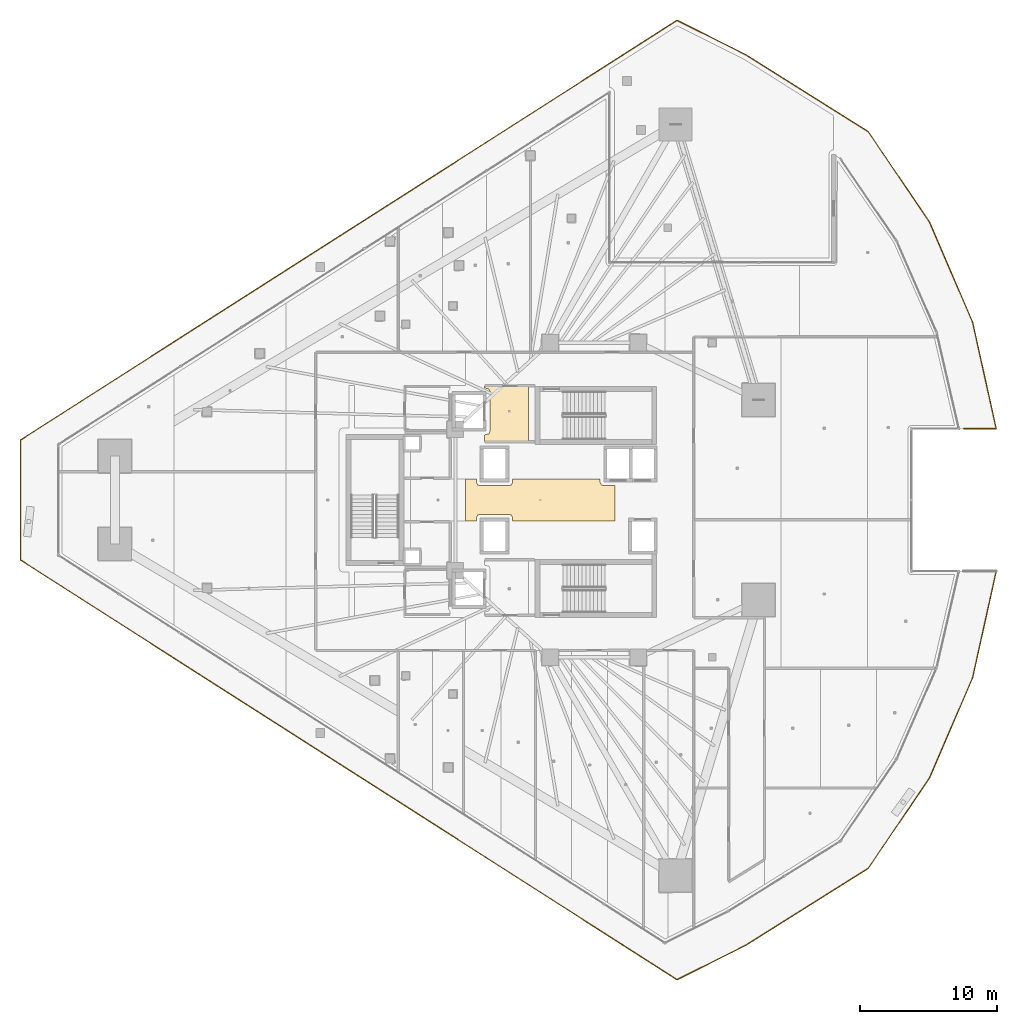
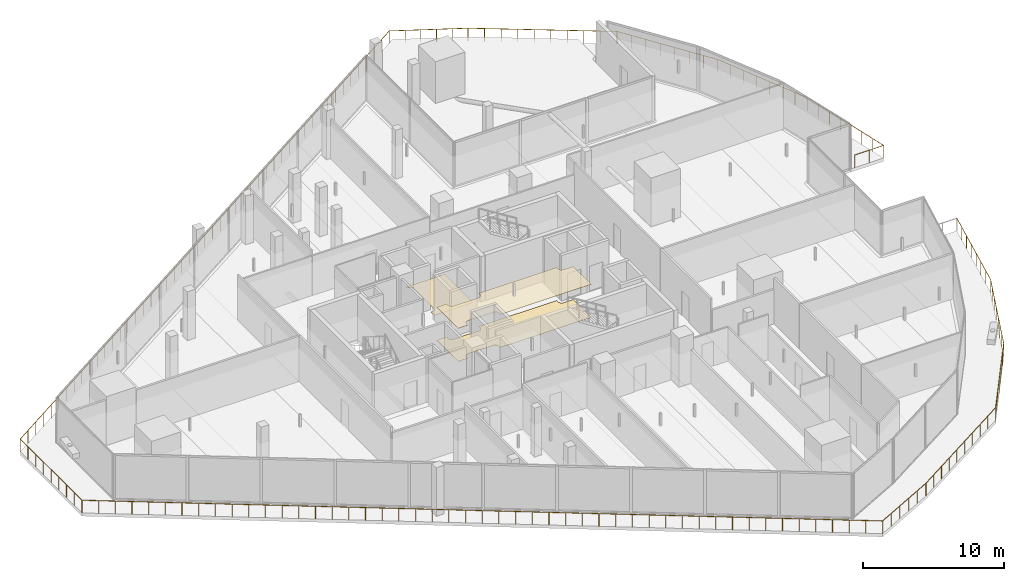
# One storey, part 42 of 44: 3 coverings, 1 railing.
"""IFC4 building model written with IfcOpenShell, lengths in metres."""

from ifc_helpers import new_model, si_unit, direction, frame, origin, origin_2d, place, context, subcontext, project, spatial, polyline, circle, outline, extrude, material, layer, layer_set, type_object, element, save


model = new_model("IFC4")

# Units and contexts
model_context = context("Model", 3, precision=1e-05, world=origin(), true_north=direction((0.0, 1.0)))
body_context = subcontext(model_context, "Body", "Model", "MODEL_VIEW")
ifc_project = project(units=[si_unit("LENGTHUNIT", "METRE"), si_unit("AREAUNIT", "SQUARE_METRE"), si_unit("VOLUMEUNIT", "CUBIC_METRE"), si_unit("PLANEANGLEUNIT", "RADIAN"), si_unit("MASSUNIT", "GRAM", prefix="KILO")], contexts=[model_context])

# Site, building, storey
site_placement = place(None, origin())
site = spatial("IfcSite", under=ifc_project, at=site_placement, CompositionType="ELEMENT")
building_placement = place(site_placement, origin())
building = spatial("IfcBuilding", under=site, at=building_placement, Name="Qorvath Tower", CompositionType="ELEMENT")
storey_placement = place(building_placement, frame((0.0, 0.0, 78.60009765625)))
storey = spatial("IfcBuildingStorey", under=building, at=storey_placement, Name="L17", CompositionType="ELEMENT", Elevation=78.60009765625)

# Coverings
ifc_material_1 = material(Name="Acoustic mineral fibre ceiling tile", Category="gypsum")
ifc_layer_1 = layer(ifc_material_1, 0.030029296875)
ifc_layer_set_1 = layer_set([ifc_layer_1], Name="COV-CEIL")
covering_type_1 = type_object("IfcCoveringType", Name="COV-CEIL", PredefinedType="CEILING", material=ifc_layer_set_1)
covering_1_placement = place(storey_placement, frame((0.0, 0.0, 2.849853515625)))
element("IfcCovering", 1, at=covering_1_placement, inside=storey, type_object=covering_type_1, Name="L17 Suspended Acoustic Ceiling 009", PredefinedType="CEILING", context=body_context, shape_type="SweptSolid", body=[
    extrude(outline(polyline([(-18.885009765625, -1.514892578125), (-18.885009765625, 1.0400390625), (-19.7099609375, 1.0400390625), (-19.88671875, 1.11328125), (-19.9599609375, 1.2900390625), (-19.9599609375, 1.514892578125), (-26.340087890625, 1.514892578125), (-26.340087890625, 1.2900390625), (-26.413330078125, 1.11328125), (-26.590087890625, 1.0400390625), (-28.7099609375, 1.0400390625), (-28.88671875, 1.11328125), (-28.9599609375, 1.2900390625), (-28.9599609375, 1.514892578125), (-29.764892578125, 1.514892578125), (-29.764892578125, -1.514892578125), (-28.9599609375, -1.514892578125), (-28.9599609375, -1.2900390625), (-28.88671875, -1.11328125), (-28.7099609375, -1.0400390625), (-26.590087890625, -1.0400390625), (-26.413330078125, -1.11328125), (-26.340087890625, -1.2900390625), (-26.340087890625, -1.514892578125), (-18.885009765625, -1.514892578125)])), origin(), (0.0, 0.0, 1.0), 0.030029296875),
])
ifc_material_2 = material(Name="Polished epoxy terrazzo flooring", Category="concrete")
ifc_layer_2 = layer(ifc_material_2, 0.02001953125)
ifc_layer_set_2 = layer_set([ifc_layer_2], Name="COV-FLOOR-TRZ")
covering_type_2 = type_object("IfcCoveringType", Name="COV-FLOOR-TRZ", PredefinedType="FLOORING", material=ifc_layer_set_2)
covering_2_placement = place(storey_placement, origin())
element("IfcCovering", 2, at=covering_2_placement, inside=storey, type_object=covering_type_2, Name="L17 Floor Finish 001", PredefinedType="FLOORING", context=body_context, shape_type="SweptSolid", body=[
    extrude(outline(polyline([(-25.18994140625, 4.2548828125), (-25.18994140625, 8.294921875), (-28.375, 8.294921875), (-28.375, 8.159912109375), (-28.063232421875, 8.086669921875), (-27.989990234375, 7.909912109375), (-27.989990234375, 4.989990234375), (-28.063232421875, 4.813232421875), (-28.375, 4.739990234375), (-28.375, 4.2548828125), (-25.18994140625, 4.2548828125)])), origin(), (0.0, 0.0, 1.0), 0.014892578125),
])
covering_3_placement = place(storey_placement, origin())
element("IfcCovering", 3, at=covering_3_placement, inside=storey, type_object=covering_type_2, Name="L17 Floor Finish 009", PredefinedType="FLOORING", context=body_context, shape_type="SweptSolid", body=[
    extrude(outline(polyline([(-18.885009765625, -1.514892578125), (-18.885009765625, 1.0400390625), (-19.7099609375, 1.0400390625), (-19.88671875, 1.11328125), (-19.9599609375, 1.2900390625), (-19.9599609375, 1.514892578125), (-26.340087890625, 1.514892578125), (-26.340087890625, 1.2900390625), (-26.413330078125, 1.11328125), (-26.590087890625, 1.0400390625), (-28.7099609375, 1.0400390625), (-28.88671875, 1.11328125), (-28.9599609375, 1.2900390625), (-28.9599609375, 1.514892578125), (-29.764892578125, 1.514892578125), (-29.764892578125, -1.514892578125), (-28.9599609375, -1.514892578125), (-28.9599609375, -1.2900390625), (-28.88671875, -1.11328125), (-28.7099609375, -1.0400390625), (-26.590087890625, -1.0400390625), (-26.413330078125, -1.11328125), (-26.340087890625, -1.2900390625), (-26.340087890625, -1.514892578125), (-18.885009765625, -1.514892578125)])), origin(), (0.0, 0.0, 1.0), 0.014892578125),
])

# Railing
ifc_material_3 = material(Name="Laminated safety glass and stainless steel AISI 316", Category="steel")
railing_type = type_object("IfcRailingType", Name="RL-EXT-GRD", PredefinedType="GUARDRAIL", material=ifc_material_3)
railing_placement = place(storey_placement, frame((8.867919921875, -5.18408203125, 0.0)))
element("IfcRailing", 4, at=railing_placement, inside=storey, type_object=railing_type, Name="Loggia Perimeter Guardrail L17-1.1", PredefinedType="GUARDRAIL", context=body_context, shape_type="SweptSolid", body=[
    extrude(circle(Radius=0.02392578125, at=origin_2d()), frame((0.0, 0.0, 1.09619140625), z_axis=(-0.216083712762, -0.976374840458, 0.0), x_axis=(0.976374840458, -0.216083712762, 0.0)), (0.0, 0.0, 1.0), 7.938232421875),
    extrude(circle(Radius=0.02392578125, at=origin_2d()), frame((-1.71533203125, -7.750732421875, 1.09619140625), z_axis=(-0.395496185531, -0.918467619043, 0.0), x_axis=(0.918467619043, -0.395496185531, 0.0)), (0.0, 0.0, 1.0), 7.9384765625),
    extrude(circle(Radius=0.02392578125, at=origin_2d()), frame((-4.85498046875, -15.0419921875, 1.09619140625), z_axis=(-0.560810063279, -0.827944486621, 0.0), x_axis=(0.827944486621, -0.560810063279, 0.0)), (0.0, 0.0, 1.0), 7.938232421875),
    extrude(circle(Radius=0.02392578125, at=origin_2d()), frame((-9.306884765625, -21.614501953125, 1.09619140625), z_axis=(-0.84650076286, -0.532387507815, 0.0), x_axis=(0.532387507815, -0.84650076286, 0.0)), (0.0, 0.0, 1.0), 10.556396484375),
    extrude(circle(Radius=0.02392578125, at=origin_2d()), frame((-18.242919921875, -27.234619140625, 1.09619140625), z_axis=(-0.89443594736, -0.447196082351, 0.0), x_axis=(0.447196082351, -0.89443594736, 0.0)), (0.0, 0.0, 1.0), 5.576171875),
    extrude(circle(Radius=0.02392578125, at=origin_2d()), frame((-23.23046875, -29.728271484375, 1.09619140625), z_axis=(-0.842603440241, 0.538534532313, 0.0), x_axis=(-0.538534532313, -0.842603440241, 0.0)), (0.0, 0.0, 1.0), 56.724853515625),
    extrude(circle(Radius=0.02392578125, at=origin_2d()), frame((-71.027099609375, 0.820068359375, 1.09619140625), z_axis=(0.0, 1.0, 0.0), x_axis=(-1.0, 0.0, 0.0)), (0.0, 0.0, 1.0), 8.72802734375),
    extrude(circle(Radius=0.02392578125, at=origin_2d()), frame((-71.027099609375, 9.548095703125, 1.09619140625), z_axis=(0.842603440241, 0.538534532313, 0.0), x_axis=(-0.538534532313, 0.842603440241, 0.0)), (0.0, 0.0, 1.0), 56.724853515625),
    extrude(circle(Radius=0.02392578125, at=origin_2d()), frame((-23.23046875, 40.096435546875, 1.09619140625), z_axis=(0.89443594736, -0.447196082351, 0.0), x_axis=(0.447196082351, 0.89443594736, 0.0)), (0.0, 0.0, 1.0), 5.576171875),
    extrude(circle(Radius=0.02392578125, at=origin_2d()), frame((-18.242919921875, 37.602783203125, 1.09619140625), z_axis=(0.84650076286, -0.532387507815, 0.0), x_axis=(0.532387507815, 0.84650076286, 0.0)), (0.0, 0.0, 1.0), 10.556396484375),
    extrude(circle(Radius=0.02392578125, at=origin_2d()), frame((-9.306884765625, 31.982666015625, 1.09619140625), z_axis=(0.560810063279, -0.827944486621, 0.0), x_axis=(0.827944486621, 0.560810063279, 0.0)), (0.0, 0.0, 1.0), 7.938232421875),
    extrude(circle(Radius=0.02392578125, at=origin_2d()), frame((-4.85498046875, 25.41015625, 1.09619140625), z_axis=(0.395496185531, -0.918467619043, 0.0), x_axis=(0.918467619043, 0.395496185531, 0.0)), (0.0, 0.0, 1.0), 7.9384765625),
    extrude(circle(Radius=0.02392578125, at=origin_2d()), frame((-1.71533203125, 18.118896484375, 1.09619140625), z_axis=(0.216083712762, -0.976374840458, 0.0), x_axis=(0.976374840458, 0.216083712762, 0.0)), (0.0, 0.0, 1.0), 7.938232421875),
    extrude(circle(Radius=0.02392578125, at=origin_2d()), frame((0.0, 10.3681640625, 1.09619140625), z_axis=(-1.0, 0.0, 0.0), x_axis=(0.0, -1.0, 0.0)), (0.0, 0.0, 1.0), 2.366455078125),
    extrude(circle(Radius=0.02099609375, at=origin_2d()), origin(), (0.0, 0.0, 1.0), 1.072021484375),
    extrude(circle(Radius=0.02099609375, at=origin_2d()), frame((-0.2451171875, -1.107177734375, 0.0)), (0.0, 0.0, 1.0), 1.072021484375),
    extrude(circle(Radius=0.02099609375, at=origin_2d()), frame((-0.489990234375, -2.214599609375, 0.0)), (0.0, 0.0, 1.0), 1.072021484375),
    extrude(circle(Radius=0.02099609375, at=origin_2d()), frame((-0.735107421875, -3.32177734375, 0.0)), (0.0, 0.0, 1.0), 1.072021484375),
    extrude(circle(Radius=0.02099609375, at=origin_2d()), frame((-0.980224609375, -4.428955078125, 0.0)), (0.0, 0.0, 1.0), 1.072021484375),
    extrude(circle(Radius=0.02099609375, at=origin_2d()), frame((-1.225341796875, -5.5361328125, 0.0)), (0.0, 0.0, 1.0), 1.072021484375),
    extrude(circle(Radius=0.02099609375, at=origin_2d()), frame((-1.47021484375, -6.6435546875, 0.0)), (0.0, 0.0, 1.0), 1.072021484375),
    extrude(circle(Radius=0.02099609375, at=origin_2d()), frame((-1.71533203125, -7.750732421875, 0.0)), (0.0, 0.0, 1.0), 1.072021484375),
    extrude(circle(Radius=0.02099609375, at=origin_2d()), frame((-2.163818359375, -8.792236328125, 0.0)), (0.0, 0.0, 1.0), 1.072021484375),
    extrude(circle(Radius=0.02099609375, at=origin_2d()), frame((-2.6123046875, -9.833984375, 0.0)), (0.0, 0.0, 1.0), 1.072021484375),
    extrude(circle(Radius=0.02099609375, at=origin_2d()), frame((-3.060791015625, -10.87548828125, 0.0)), (0.0, 0.0, 1.0), 1.072021484375),
    extrude(circle(Radius=0.02099609375, at=origin_2d()), frame((-3.509521484375, -11.917236328125, 0.0)), (0.0, 0.0, 1.0), 1.072021484375),
    extrude(circle(Radius=0.02099609375, at=origin_2d()), frame((-3.9580078125, -12.958740234375, 0.0)), (0.0, 0.0, 1.0), 1.072021484375),
    extrude(circle(Radius=0.02099609375, at=origin_2d()), frame((-4.406494140625, -14.00048828125, 0.0)), (0.0, 0.0, 1.0), 1.072021484375),
    extrude(circle(Radius=0.02099609375, at=origin_2d()), frame((-4.85498046875, -15.0419921875, 0.0)), (0.0, 0.0, 1.0), 1.072021484375),
    extrude(circle(Radius=0.02099609375, at=origin_2d()), frame((-5.490966796875, -15.98095703125, 0.0)), (0.0, 0.0, 1.0), 1.072021484375),
    extrude(circle(Radius=0.02099609375, at=origin_2d()), frame((-6.126953125, -16.919921875, 0.0)), (0.0, 0.0, 1.0), 1.072021484375),
    extrude(circle(Radius=0.02099609375, at=origin_2d()), frame((-6.762939453125, -17.85888671875, 0.0)), (0.0, 0.0, 1.0), 1.072021484375),
    extrude(circle(Radius=0.02099609375, at=origin_2d()), frame((-7.39892578125, -18.797607421875, 0.0)), (0.0, 0.0, 1.0), 1.072021484375),
    extrude(circle(Radius=0.02099609375, at=origin_2d()), frame((-8.034912109375, -19.736572265625, 0.0)), (0.0, 0.0, 1.0), 1.072021484375),
    extrude(circle(Radius=0.02099609375, at=origin_2d()), frame((-8.6708984375, -20.675537109375, 0.0)), (0.0, 0.0, 1.0), 1.072021484375),
    extrude(circle(Radius=0.02099609375, at=origin_2d()), frame((-9.306884765625, -21.614501953125, 0.0)), (0.0, 0.0, 1.0), 1.072021484375),
    extrude(circle(Radius=0.02099609375, at=origin_2d()), frame((-10.2998046875, -22.239013671875, 0.0)), (0.0, 0.0, 1.0), 1.072021484375),
    extrude(circle(Radius=0.02099609375, at=origin_2d()), frame((-11.292724609375, -22.863525390625, 0.0)), (0.0, 0.0, 1.0), 1.072021484375),
    extrude(circle(Radius=0.02099609375, at=origin_2d()), frame((-12.28564453125, -23.48779296875, 0.0)), (0.0, 0.0, 1.0), 1.072021484375),
    extrude(circle(Radius=0.02099609375, at=origin_2d()), frame((-13.278564453125, -24.1123046875, 0.0)), (0.0, 0.0, 1.0), 1.072021484375),
    extrude(circle(Radius=0.02099609375, at=origin_2d()), frame((-14.271240234375, -24.73681640625, 0.0)), (0.0, 0.0, 1.0), 1.072021484375),
    extrude(circle(Radius=0.02099609375, at=origin_2d()), frame((-15.26416015625, -25.361328125, 0.0)), (0.0, 0.0, 1.0), 1.072021484375),
    extrude(circle(Radius=0.02099609375, at=origin_2d()), frame((-16.257080078125, -25.985595703125, 0.0)), (0.0, 0.0, 1.0), 1.072021484375),
    extrude(circle(Radius=0.02099609375, at=origin_2d()), frame((-17.25, -26.610107421875, 0.0)), (0.0, 0.0, 1.0), 1.072021484375),
    extrude(circle(Radius=0.02099609375, at=origin_2d()), frame((-18.242919921875, -27.234619140625, 0.0)), (0.0, 0.0, 1.0), 1.072021484375),
    extrude(circle(Radius=0.02099609375, at=origin_2d()), frame((-19.240478515625, -27.7333984375, 0.0)), (0.0, 0.0, 1.0), 1.072021484375),
    extrude(circle(Radius=0.02099609375, at=origin_2d()), frame((-20.238037109375, -28.232177734375, 0.0)), (0.0, 0.0, 1.0), 1.072021484375),
    extrude(circle(Radius=0.02099609375, at=origin_2d()), frame((-21.2353515625, -28.730712890625, 0.0)), (0.0, 0.0, 1.0), 1.072021484375),
    extrude(circle(Radius=0.02099609375, at=origin_2d()), frame((-22.23291015625, -29.2294921875, 0.0)), (0.0, 0.0, 1.0), 1.072021484375),
    extrude(circle(Radius=0.02099609375, at=origin_2d()), frame((-23.23046875, -29.728271484375, 0.0)), (0.0, 0.0, 1.0), 1.072021484375),
    extrude(circle(Radius=0.02099609375, at=origin_2d()), frame((-24.226318359375, -29.091796875, 0.0)), (0.0, 0.0, 1.0), 1.072021484375),
    extrude(circle(Radius=0.02099609375, at=origin_2d()), frame((-25.221923828125, -28.455322265625, 0.0)), (0.0, 0.0, 1.0), 1.072021484375),
    extrude(circle(Radius=0.02099609375, at=origin_2d()), frame((-26.2177734375, -27.819091796875, 0.0)), (0.0, 0.0, 1.0), 1.072021484375),
    extrude(circle(Radius=0.02099609375, at=origin_2d()), frame((-27.213623046875, -27.1826171875, 0.0)), (0.0, 0.0, 1.0), 1.072021484375),
    extrude(circle(Radius=0.02099609375, at=origin_2d()), frame((-28.209228515625, -26.546142578125, 0.0)), (0.0, 0.0, 1.0), 1.072021484375),
    extrude(circle(Radius=0.02099609375, at=origin_2d()), frame((-29.205078125, -25.90966796875, 0.0)), (0.0, 0.0, 1.0), 1.072021484375),
    extrude(circle(Radius=0.02099609375, at=origin_2d()), frame((-30.200927734375, -25.273193359375, 0.0)), (0.0, 0.0, 1.0), 1.072021484375),
    extrude(circle(Radius=0.02099609375, at=origin_2d()), frame((-31.196533203125, -24.636962890625, 0.0)), (0.0, 0.0, 1.0), 1.072021484375),
    extrude(circle(Radius=0.02099609375, at=origin_2d()), frame((-32.1923828125, -24.00048828125, 0.0)), (0.0, 0.0, 1.0), 1.072021484375),
    extrude(circle(Radius=0.02099609375, at=origin_2d()), frame((-33.18798828125, -23.364013671875, 0.0)), (0.0, 0.0, 1.0), 1.072021484375),
    extrude(circle(Radius=0.02099609375, at=origin_2d()), frame((-34.183837890625, -22.7275390625, 0.0)), (0.0, 0.0, 1.0), 1.072021484375),
    extrude(circle(Radius=0.02099609375, at=origin_2d()), frame((-35.1796875, -22.09130859375, 0.0)), (0.0, 0.0, 1.0), 1.072021484375),
    extrude(circle(Radius=0.02099609375, at=origin_2d()), frame((-36.17529296875, -21.454833984375, 0.0)), (0.0, 0.0, 1.0), 1.072021484375),
    extrude(circle(Radius=0.02099609375, at=origin_2d()), frame((-37.171142578125, -20.818359375, 0.0)), (0.0, 0.0, 1.0), 1.072021484375),
    extrude(circle(Radius=0.02099609375, at=origin_2d()), frame((-38.1669921875, -20.181884765625, 0.0)), (0.0, 0.0, 1.0), 1.072021484375),
    extrude(circle(Radius=0.02099609375, at=origin_2d()), frame((-39.16259765625, -19.54541015625, 0.0)), (0.0, 0.0, 1.0), 1.072021484375),
    extrude(circle(Radius=0.02099609375, at=origin_2d()), frame((-40.158447265625, -18.9091796875, 0.0)), (0.0, 0.0, 1.0), 1.072021484375),
    extrude(circle(Radius=0.02099609375, at=origin_2d()), frame((-41.154296875, -18.272705078125, 0.0)), (0.0, 0.0, 1.0), 1.072021484375),
    extrude(circle(Radius=0.02099609375, at=origin_2d()), frame((-42.14990234375, -17.63623046875, 0.0)), (0.0, 0.0, 1.0), 1.072021484375),
    extrude(circle(Radius=0.02099609375, at=origin_2d()), frame((-43.145751953125, -16.999755859375, 0.0)), (0.0, 0.0, 1.0), 1.072021484375),
    extrude(circle(Radius=0.02099609375, at=origin_2d()), frame((-44.1416015625, -16.36328125, 0.0)), (0.0, 0.0, 1.0), 1.072021484375),
    extrude(circle(Radius=0.02099609375, at=origin_2d()), frame((-45.13720703125, -15.72705078125, 0.0)), (0.0, 0.0, 1.0), 1.072021484375),
    extrude(circle(Radius=0.02099609375, at=origin_2d()), frame((-46.133056640625, -15.090576171875, 0.0)), (0.0, 0.0, 1.0), 1.072021484375),
    extrude(circle(Radius=0.02099609375, at=origin_2d()), frame((-47.12890625, -14.4541015625, 0.0)), (0.0, 0.0, 1.0), 1.072021484375),
    extrude(circle(Radius=0.02099609375, at=origin_2d()), frame((-48.12451171875, -13.817626953125, 0.0)), (0.0, 0.0, 1.0), 1.072021484375),
    extrude(circle(Radius=0.02099609375, at=origin_2d()), frame((-49.120361328125, -13.18115234375, 0.0)), (0.0, 0.0, 1.0), 1.072021484375),
    extrude(circle(Radius=0.02099609375, at=origin_2d()), frame((-50.115966796875, -12.544921875, 0.0)), (0.0, 0.0, 1.0), 1.072021484375),
    extrude(circle(Radius=0.02099609375, at=origin_2d()), frame((-51.11181640625, -11.908447265625, 0.0)), (0.0, 0.0, 1.0), 1.072021484375),
    extrude(circle(Radius=0.02099609375, at=origin_2d()), frame((-52.107666015625, -11.27197265625, 0.0)), (0.0, 0.0, 1.0), 1.072021484375),
    extrude(circle(Radius=0.02099609375, at=origin_2d()), frame((-53.103271484375, -10.635498046875, 0.0)), (0.0, 0.0, 1.0), 1.072021484375),
    extrude(circle(Radius=0.02099609375, at=origin_2d()), frame((-54.09912109375, -9.9990234375, 0.0)), (0.0, 0.0, 1.0), 1.072021484375),
    extrude(circle(Radius=0.02099609375, at=origin_2d()), frame((-55.094970703125, -9.36279296875, 0.0)), (0.0, 0.0, 1.0), 1.072021484375),
    extrude(circle(Radius=0.02099609375, at=origin_2d()), frame((-56.090576171875, -8.726318359375, 0.0)), (0.0, 0.0, 1.0), 1.072021484375),
    extrude(circle(Radius=0.02099609375, at=origin_2d()), frame((-57.08642578125, -8.08984375, 0.0)), (0.0, 0.0, 1.0), 1.072021484375),
    extrude(circle(Radius=0.02099609375, at=origin_2d()), frame((-58.082275390625, -7.453369140625, 0.0)), (0.0, 0.0, 1.0), 1.072021484375),
    extrude(circle(Radius=0.02099609375, at=origin_2d()), frame((-59.077880859375, -6.81689453125, 0.0)), (0.0, 0.0, 1.0), 1.072021484375),
    extrude(circle(Radius=0.02099609375, at=origin_2d()), frame((-60.07373046875, -6.1806640625, 0.0)), (0.0, 0.0, 1.0), 1.072021484375),
    extrude(circle(Radius=0.02099609375, at=origin_2d()), frame((-61.069580078125, -5.544189453125, 0.0)), (0.0, 0.0, 1.0), 1.072021484375),
    extrude(circle(Radius=0.02099609375, at=origin_2d()), frame((-62.065185546875, -4.90771484375, 0.0)), (0.0, 0.0, 1.0), 1.072021484375),
    extrude(circle(Radius=0.02099609375, at=origin_2d()), frame((-63.06103515625, -4.271240234375, 0.0)), (0.0, 0.0, 1.0), 1.072021484375),
    extrude(circle(Radius=0.02099609375, at=origin_2d()), frame((-64.056640625, -3.635009765625, 0.0)), (0.0, 0.0, 1.0), 1.072021484375),
    extrude(circle(Radius=0.02099609375, at=origin_2d()), frame((-65.052490234375, -2.99853515625, 0.0)), (0.0, 0.0, 1.0), 1.072021484375),
    extrude(circle(Radius=0.02099609375, at=origin_2d()), frame((-66.04833984375, -2.362060546875, 0.0)), (0.0, 0.0, 1.0), 1.072021484375),
    extrude(circle(Radius=0.02099609375, at=origin_2d()), frame((-67.0439453125, -1.7255859375, 0.0)), (0.0, 0.0, 1.0), 1.072021484375),
    extrude(circle(Radius=0.02099609375, at=origin_2d()), frame((-68.039794921875, -1.089111328125, 0.0)), (0.0, 0.0, 1.0), 1.072021484375),
    extrude(circle(Radius=0.02099609375, at=origin_2d()), frame((-69.03564453125, -0.452880859375, 0.0)), (0.0, 0.0, 1.0), 1.072021484375),
    extrude(circle(Radius=0.02099609375, at=origin_2d()), frame((-70.03125, 0.18359375, 0.0)), (0.0, 0.0, 1.0), 1.072021484375),
    extrude(circle(Radius=0.02099609375, at=origin_2d()), frame((-71.027099609375, 0.820068359375, 0.0)), (0.0, 0.0, 1.0), 1.072021484375),
    extrude(circle(Radius=0.02099609375, at=origin_2d()), frame((-71.027099609375, 1.9111328125, 0.0)), (0.0, 0.0, 1.0), 1.072021484375),
    extrude(circle(Radius=0.02099609375, at=origin_2d()), frame((-71.027099609375, 3.001953125, 0.0)), (0.0, 0.0, 1.0), 1.072021484375),
    extrude(circle(Radius=0.02099609375, at=origin_2d()), frame((-71.027099609375, 4.093017578125, 0.0)), (0.0, 0.0, 1.0), 1.072021484375),
    extrude(circle(Radius=0.02099609375, at=origin_2d()), frame((-71.027099609375, 5.18408203125, 0.0)), (0.0, 0.0, 1.0), 1.072021484375),
    extrude(circle(Radius=0.02099609375, at=origin_2d()), frame((-71.027099609375, 6.275146484375, 0.0)), (0.0, 0.0, 1.0), 1.072021484375),
    extrude(circle(Radius=0.02099609375, at=origin_2d()), frame((-71.027099609375, 7.3662109375, 0.0)), (0.0, 0.0, 1.0), 1.072021484375),
    extrude(circle(Radius=0.02099609375, at=origin_2d()), frame((-71.027099609375, 8.45703125, 0.0)), (0.0, 0.0, 1.0), 1.072021484375),
    extrude(circle(Radius=0.02099609375, at=origin_2d()), frame((-71.027099609375, 9.548095703125, 0.0)), (0.0, 0.0, 1.0), 1.072021484375),
    extrude(circle(Radius=0.02099609375, at=origin_2d()), frame((-70.03125, 10.1845703125, 0.0)), (0.0, 0.0, 1.0), 1.072021484375),
    extrude(circle(Radius=0.02099609375, at=origin_2d()), frame((-69.03564453125, 10.821044921875, 0.0)), (0.0, 0.0, 1.0), 1.072021484375),
    extrude(circle(Radius=0.02099609375, at=origin_2d()), frame((-68.039794921875, 11.457275390625, 0.0)), (0.0, 0.0, 1.0), 1.072021484375),
    extrude(circle(Radius=0.02099609375, at=origin_2d()), frame((-67.0439453125, 12.09375, 0.0)), (0.0, 0.0, 1.0), 1.072021484375),
    extrude(circle(Radius=0.02099609375, at=origin_2d()), frame((-66.04833984375, 12.730224609375, 0.0)), (0.0, 0.0, 1.0), 1.072021484375),
    extrude(circle(Radius=0.02099609375, at=origin_2d()), frame((-65.052490234375, 13.36669921875, 0.0)), (0.0, 0.0, 1.0), 1.072021484375),
    extrude(circle(Radius=0.02099609375, at=origin_2d()), frame((-64.056640625, 14.003173828125, 0.0)), (0.0, 0.0, 1.0), 1.072021484375),
    extrude(circle(Radius=0.02099609375, at=origin_2d()), frame((-63.06103515625, 14.639404296875, 0.0)), (0.0, 0.0, 1.0), 1.072021484375),
    extrude(circle(Radius=0.02099609375, at=origin_2d()), frame((-62.065185546875, 15.27587890625, 0.0)), (0.0, 0.0, 1.0), 1.072021484375),
    extrude(circle(Radius=0.02099609375, at=origin_2d()), frame((-61.069580078125, 15.912353515625, 0.0)), (0.0, 0.0, 1.0), 1.072021484375),
    extrude(circle(Radius=0.02099609375, at=origin_2d()), frame((-60.07373046875, 16.548828125, 0.0)), (0.0, 0.0, 1.0), 1.072021484375),
    extrude(circle(Radius=0.02099609375, at=origin_2d()), frame((-59.077880859375, 17.18505859375, 0.0)), (0.0, 0.0, 1.0), 1.072021484375),
    extrude(circle(Radius=0.02099609375, at=origin_2d()), frame((-58.082275390625, 17.821533203125, 0.0)), (0.0, 0.0, 1.0), 1.072021484375),
    extrude(circle(Radius=0.02099609375, at=origin_2d()), frame((-57.08642578125, 18.4580078125, 0.0)), (0.0, 0.0, 1.0), 1.072021484375),
    extrude(circle(Radius=0.02099609375, at=origin_2d()), frame((-56.090576171875, 19.094482421875, 0.0)), (0.0, 0.0, 1.0), 1.072021484375),
    extrude(circle(Radius=0.02099609375, at=origin_2d()), frame((-55.094970703125, 19.73095703125, 0.0)), (0.0, 0.0, 1.0), 1.072021484375),
    extrude(circle(Radius=0.02099609375, at=origin_2d()), frame((-54.09912109375, 20.3671875, 0.0)), (0.0, 0.0, 1.0), 1.072021484375),
    extrude(circle(Radius=0.02099609375, at=origin_2d()), frame((-53.103271484375, 21.003662109375, 0.0)), (0.0, 0.0, 1.0), 1.072021484375),
    extrude(circle(Radius=0.02099609375, at=origin_2d()), frame((-52.107666015625, 21.64013671875, 0.0)), (0.0, 0.0, 1.0), 1.072021484375),
    extrude(circle(Radius=0.02099609375, at=origin_2d()), frame((-51.11181640625, 22.276611328125, 0.0)), (0.0, 0.0, 1.0), 1.072021484375),
    extrude(circle(Radius=0.02099609375, at=origin_2d()), frame((-50.115966796875, 22.9130859375, 0.0)), (0.0, 0.0, 1.0), 1.072021484375),
    extrude(circle(Radius=0.02099609375, at=origin_2d()), frame((-49.120361328125, 23.54931640625, 0.0)), (0.0, 0.0, 1.0), 1.072021484375),
    extrude(circle(Radius=0.02099609375, at=origin_2d()), frame((-48.12451171875, 24.185791015625, 0.0)), (0.0, 0.0, 1.0), 1.072021484375),
    extrude(circle(Radius=0.02099609375, at=origin_2d()), frame((-47.12890625, 24.822265625, 0.0)), (0.0, 0.0, 1.0), 1.072021484375),
    extrude(circle(Radius=0.02099609375, at=origin_2d()), frame((-46.133056640625, 25.458740234375, 0.0)), (0.0, 0.0, 1.0), 1.072021484375),
    extrude(circle(Radius=0.02099609375, at=origin_2d()), frame((-45.13720703125, 26.09521484375, 0.0)), (0.0, 0.0, 1.0), 1.072021484375),
    extrude(circle(Radius=0.02099609375, at=origin_2d()), frame((-44.1416015625, 26.7314453125, 0.0)), (0.0, 0.0, 1.0), 1.072021484375),
    extrude(circle(Radius=0.02099609375, at=origin_2d()), frame((-43.145751953125, 27.367919921875, 0.0)), (0.0, 0.0, 1.0), 1.072021484375),
    extrude(circle(Radius=0.02099609375, at=origin_2d()), frame((-42.14990234375, 28.00439453125, 0.0)), (0.0, 0.0, 1.0), 1.072021484375),
    extrude(circle(Radius=0.02099609375, at=origin_2d()), frame((-41.154296875, 28.640869140625, 0.0)), (0.0, 0.0, 1.0), 1.072021484375),
    extrude(circle(Radius=0.02099609375, at=origin_2d()), frame((-40.158447265625, 29.27734375, 0.0)), (0.0, 0.0, 1.0), 1.072021484375),
    extrude(circle(Radius=0.02099609375, at=origin_2d()), frame((-39.16259765625, 29.91357421875, 0.0)), (0.0, 0.0, 1.0), 1.072021484375),
    extrude(circle(Radius=0.02099609375, at=origin_2d()), frame((-38.1669921875, 30.550048828125, 0.0)), (0.0, 0.0, 1.0), 1.072021484375),
    extrude(circle(Radius=0.02099609375, at=origin_2d()), frame((-37.171142578125, 31.1865234375, 0.0)), (0.0, 0.0, 1.0), 1.072021484375),
    extrude(circle(Radius=0.02099609375, at=origin_2d()), frame((-36.17529296875, 31.822998046875, 0.0)), (0.0, 0.0, 1.0), 1.072021484375),
    extrude(circle(Radius=0.02099609375, at=origin_2d()), frame((-35.1796875, 32.45947265625, 0.0)), (0.0, 0.0, 1.0), 1.072021484375),
    extrude(circle(Radius=0.02099609375, at=origin_2d()), frame((-34.183837890625, 33.095703125, 0.0)), (0.0, 0.0, 1.0), 1.072021484375),
    extrude(circle(Radius=0.02099609375, at=origin_2d()), frame((-33.18798828125, 33.732177734375, 0.0)), (0.0, 0.0, 1.0), 1.072021484375),
    extrude(circle(Radius=0.02099609375, at=origin_2d()), frame((-32.1923828125, 34.36865234375, 0.0)), (0.0, 0.0, 1.0), 1.072021484375),
    extrude(circle(Radius=0.02099609375, at=origin_2d()), frame((-31.196533203125, 35.005126953125, 0.0)), (0.0, 0.0, 1.0), 1.072021484375),
    extrude(circle(Radius=0.02099609375, at=origin_2d()), frame((-30.200927734375, 35.641357421875, 0.0)), (0.0, 0.0, 1.0), 1.072021484375),
    extrude(circle(Radius=0.02099609375, at=origin_2d()), frame((-29.205078125, 36.27783203125, 0.0)), (0.0, 0.0, 1.0), 1.072021484375),
    extrude(circle(Radius=0.02099609375, at=origin_2d()), frame((-28.209228515625, 36.914306640625, 0.0)), (0.0, 0.0, 1.0), 1.072021484375),
    extrude(circle(Radius=0.02099609375, at=origin_2d()), frame((-27.213623046875, 37.55078125, 0.0)), (0.0, 0.0, 1.0), 1.072021484375),
    extrude(circle(Radius=0.02099609375, at=origin_2d()), frame((-26.2177734375, 38.187255859375, 0.0)), (0.0, 0.0, 1.0), 1.072021484375),
    extrude(circle(Radius=0.02099609375, at=origin_2d()), frame((-25.221923828125, 38.823486328125, 0.0)), (0.0, 0.0, 1.0), 1.072021484375),
    extrude(circle(Radius=0.02099609375, at=origin_2d()), frame((-24.226318359375, 39.4599609375, 0.0)), (0.0, 0.0, 1.0), 1.072021484375),
    extrude(circle(Radius=0.02099609375, at=origin_2d()), frame((-23.23046875, 40.096435546875, 0.0)), (0.0, 0.0, 1.0), 1.072021484375),
    extrude(circle(Radius=0.02099609375, at=origin_2d()), frame((-22.23291015625, 39.59765625, 0.0)), (0.0, 0.0, 1.0), 1.072021484375),
    extrude(circle(Radius=0.02099609375, at=origin_2d()), frame((-21.2353515625, 39.098876953125, 0.0)), (0.0, 0.0, 1.0), 1.072021484375),
    extrude(circle(Radius=0.02099609375, at=origin_2d()), frame((-20.238037109375, 38.600341796875, 0.0)), (0.0, 0.0, 1.0), 1.072021484375),
    extrude(circle(Radius=0.02099609375, at=origin_2d()), frame((-19.240478515625, 38.1015625, 0.0)), (0.0, 0.0, 1.0), 1.072021484375),
    extrude(circle(Radius=0.02099609375, at=origin_2d()), frame((-18.242919921875, 37.602783203125, 0.0)), (0.0, 0.0, 1.0), 1.072021484375),
    extrude(circle(Radius=0.02099609375, at=origin_2d()), frame((-17.25, 36.978271484375, 0.0)), (0.0, 0.0, 1.0), 1.072021484375),
    extrude(circle(Radius=0.02099609375, at=origin_2d()), frame((-16.257080078125, 36.353759765625, 0.0)), (0.0, 0.0, 1.0), 1.072021484375),
    extrude(circle(Radius=0.02099609375, at=origin_2d()), frame((-15.26416015625, 35.7294921875, 0.0)), (0.0, 0.0, 1.0), 1.072021484375),
    extrude(circle(Radius=0.02099609375, at=origin_2d()), frame((-14.271240234375, 35.10498046875, 0.0)), (0.0, 0.0, 1.0), 1.072021484375),
    extrude(circle(Radius=0.02099609375, at=origin_2d()), frame((-13.278564453125, 34.48046875, 0.0)), (0.0, 0.0, 1.0), 1.072021484375),
    extrude(circle(Radius=0.02099609375, at=origin_2d()), frame((-12.28564453125, 33.85595703125, 0.0)), (0.0, 0.0, 1.0), 1.072021484375),
    extrude(circle(Radius=0.02099609375, at=origin_2d()), frame((-11.292724609375, 33.231689453125, 0.0)), (0.0, 0.0, 1.0), 1.072021484375),
    extrude(circle(Radius=0.02099609375, at=origin_2d()), frame((-10.2998046875, 32.607177734375, 0.0)), (0.0, 0.0, 1.0), 1.072021484375),
    extrude(circle(Radius=0.02099609375, at=origin_2d()), frame((-9.306884765625, 31.982666015625, 0.0)), (0.0, 0.0, 1.0), 1.072021484375),
    extrude(circle(Radius=0.02099609375, at=origin_2d()), frame((-8.6708984375, 31.043701171875, 0.0)), (0.0, 0.0, 1.0), 1.072021484375),
    extrude(circle(Radius=0.02099609375, at=origin_2d()), frame((-8.034912109375, 30.104736328125, 0.0)), (0.0, 0.0, 1.0), 1.072021484375),
    extrude(circle(Radius=0.02099609375, at=origin_2d()), frame((-7.39892578125, 29.165771484375, 0.0)), (0.0, 0.0, 1.0), 1.072021484375),
    extrude(circle(Radius=0.02099609375, at=origin_2d()), frame((-6.762939453125, 28.22705078125, 0.0)), (0.0, 0.0, 1.0), 1.072021484375),
    extrude(circle(Radius=0.02099609375, at=origin_2d()), frame((-6.126953125, 27.2880859375, 0.0)), (0.0, 0.0, 1.0), 1.072021484375),
    extrude(circle(Radius=0.02099609375, at=origin_2d()), frame((-5.490966796875, 26.34912109375, 0.0)), (0.0, 0.0, 1.0), 1.072021484375),
    extrude(circle(Radius=0.02099609375, at=origin_2d()), frame((-4.85498046875, 25.41015625, 0.0)), (0.0, 0.0, 1.0), 1.072021484375),
    extrude(circle(Radius=0.02099609375, at=origin_2d()), frame((-4.406494140625, 24.36865234375, 0.0)), (0.0, 0.0, 1.0), 1.072021484375),
    extrude(circle(Radius=0.02099609375, at=origin_2d()), frame((-3.9580078125, 23.326904296875, 0.0)), (0.0, 0.0, 1.0), 1.072021484375),
    extrude(circle(Radius=0.02099609375, at=origin_2d()), frame((-3.509521484375, 22.285400390625, 0.0)), (0.0, 0.0, 1.0), 1.072021484375),
    extrude(circle(Radius=0.02099609375, at=origin_2d()), frame((-3.060791015625, 21.24365234375, 0.0)), (0.0, 0.0, 1.0), 1.072021484375),
    extrude(circle(Radius=0.02099609375, at=origin_2d()), frame((-2.6123046875, 20.2021484375, 0.0)), (0.0, 0.0, 1.0), 1.072021484375),
    extrude(circle(Radius=0.02099609375, at=origin_2d()), frame((-2.163818359375, 19.160400390625, 0.0)), (0.0, 0.0, 1.0), 1.072021484375),
    extrude(circle(Radius=0.02099609375, at=origin_2d()), frame((-1.71533203125, 18.118896484375, 0.0)), (0.0, 0.0, 1.0), 1.072021484375),
    extrude(circle(Radius=0.02099609375, at=origin_2d()), frame((-1.47021484375, 17.01171875, 0.0)), (0.0, 0.0, 1.0), 1.072021484375),
    extrude(circle(Radius=0.02099609375, at=origin_2d()), frame((-1.225341796875, 15.904296875, 0.0)), (0.0, 0.0, 1.0), 1.072021484375),
    extrude(circle(Radius=0.02099609375, at=origin_2d()), frame((-0.980224609375, 14.797119140625, 0.0)), (0.0, 0.0, 1.0), 1.072021484375),
    extrude(circle(Radius=0.02099609375, at=origin_2d()), frame((-0.735107421875, 13.68994140625, 0.0)), (0.0, 0.0, 1.0), 1.072021484375),
    extrude(circle(Radius=0.02099609375, at=origin_2d()), frame((-0.489990234375, 12.582763671875, 0.0)), (0.0, 0.0, 1.0), 1.072021484375),
    extrude(circle(Radius=0.02099609375, at=origin_2d()), frame((-0.2451171875, 11.475341796875, 0.0)), (0.0, 0.0, 1.0), 1.072021484375),
    extrude(circle(Radius=0.02099609375, at=origin_2d()), frame((0.0, 10.3681640625, 0.0)), (0.0, 0.0, 1.0), 1.072021484375),
    extrude(circle(Radius=0.02099609375, at=origin_2d()), frame((-1.18310546875, 10.3681640625, 0.0)), (0.0, 0.0, 1.0), 1.072021484375),
    extrude(circle(Radius=0.02099609375, at=origin_2d()), frame((-2.366455078125, 10.3681640625, 0.0)), (0.0, 0.0, 1.0), 1.072021484375),
])

save(model, "model.ifc")
